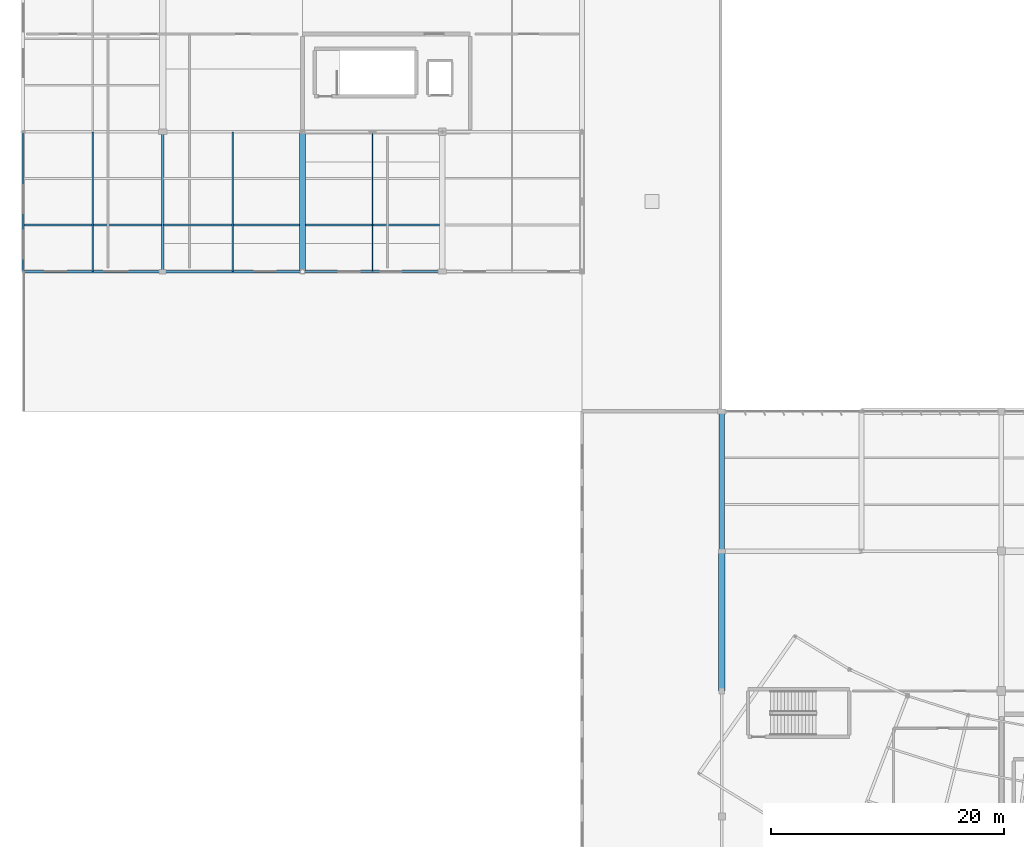
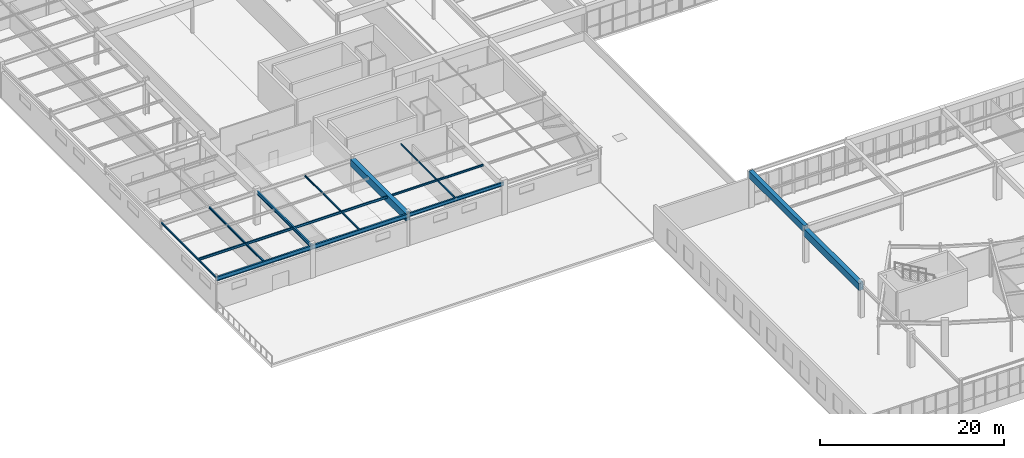
# One storey, part 56 of 186: 11 beams, 3 members.
"""IFC4 building model written with IfcOpenShell, lengths in metres."""

from ifc_helpers import new_model, si_unit, direction, frame, origin, origin_2d, place, context, subcontext, project, spatial, rectangle, hollow_rectangle, i_section, extrude, material, material_profile, profile_set, type_object, element, save


model = new_model("IFC4")

# Units and contexts
model_context = context("Model", 3, precision=1e-05, world=origin(), true_north=direction((0.0, 1.0)))
body_context = subcontext(model_context, "Body", "Model", "MODEL_VIEW")
ifc_project = project(units=[si_unit("LENGTHUNIT", "METRE"), si_unit("AREAUNIT", "SQUARE_METRE"), si_unit("VOLUMEUNIT", "CUBIC_METRE"), si_unit("PLANEANGLEUNIT", "RADIAN"), si_unit("MASSUNIT", "GRAM", prefix="KILO")], contexts=[model_context])

# Site, building, storey
site_placement = place(None, origin())
site = spatial("IfcSite", under=ifc_project, at=site_placement, CompositionType="ELEMENT")
building_placement = place(site_placement, origin())
building = spatial("IfcBuilding", under=site, at=building_placement, Name="Tarnwether General Hospital", CompositionType="ELEMENT")
storey_placement = place(building_placement, frame((0.0, 0.0, 9.60009765625)))
storey = spatial("IfcBuildingStorey", under=building, at=storey_placement, Name="L02", CompositionType="ELEMENT", Elevation=9.60009765625)

# Beams
ifc_material_1 = material(Name="Steel Grade 350 (350 MPa)", Category="steel")
ifc_material_profile_1 = material_profile(ifc_material_1, i_section(OverallWidth=0.208984375, OverallDepth=0.532958984375, WebThickness=0.01025390625, FlangeThickness=0.015625, at=origin_2d()), Name="530UB92.4")
ifc_profile_set_1 = profile_set([ifc_material_profile_1], Name="Steel Grade 350 (350 MPa)")
beam_type_1 = type_object("IfcBeamType", Name="BM-G06", PredefinedType="BEAM", material=ifc_profile_set_1)
beam_1_placement = place(storey_placement, frame((0.0, 57.60009765625, 4.163330078125), z_axis=(1.0, 0.0, 0.0), x_axis=(0.0, 1.0, 0.0)))
element("IfcBeam", 1, at=beam_1_placement, inside=storey, type_object=beam_type_1, Name="Primary Girder BMG-L02-0_5760-1200_5760-1441", PredefinedType="BEAM", context=body_context, shape_type="SweptSolid", body=[
    extrude(i_section(OverallWidth=0.208984375, OverallDepth=0.532958984375, WebThickness=0.01025390625, FlangeThickness=0.015625, at=origin_2d()), origin(), (0.0, 0.0, 1.0), 12.0),
])
ifc_material_2 = material(Name="Steel Grade 350 (350 MPa)", Category="steel")
ifc_material_profile_2 = material_profile(ifc_material_2, i_section(OverallWidth=0.208984375, OverallDepth=0.528076171875, WebThickness=0.009521484375, FlangeThickness=0.01318359375, at=origin_2d()), Name="530UB82.0")
ifc_profile_set_2 = profile_set([ifc_material_profile_2], Name="Steel Grade 350 (350 MPa)")
beam_type_2 = type_object("IfcBeamType", Name="BM-G07", PredefinedType="BEAM", material=ifc_profile_set_2)
beam_2_placement = place(storey_placement, frame((12.0, 57.60009765625, 4.166015625), z_axis=(1.0, 0.0, 0.0), x_axis=(0.0, 1.0, 0.0)))
element("IfcBeam", 2, at=beam_2_placement, inside=storey, type_object=beam_type_2, Name="Primary Girder BMG-L02-1200_5760-2400_5760-1452", PredefinedType="BEAM", context=body_context, shape_type="SweptSolid", body=[
    extrude(i_section(OverallWidth=0.208984375, OverallDepth=0.528076171875, WebThickness=0.009521484375, FlangeThickness=0.01318359375, at=origin_2d()), origin(), (0.0, 0.0, 1.0), 12.0),
])
ifc_material_3 = material(Name="Steel Grade 350 (350 MPa)", Category="steel")
ifc_material_profile_3 = material_profile(ifc_material_3, i_section(OverallWidth=0.19091796875, OverallDepth=0.4599609375, WebThickness=0.010009765625, FlangeThickness=0.01611328125, at=origin_2d()), Name="460UB82.1")
ifc_profile_set_3 = profile_set([ifc_material_profile_3], Name="Steel Grade 350 (350 MPa)")
beam_type_3 = type_object("IfcBeamType", Name="BM-G08", PredefinedType="BEAM", material=ifc_profile_set_3)
beam_3_placement = place(storey_placement, frame((24.0, 57.60009765625, 4.199951171875), z_axis=(1.0, 0.0, 0.0), x_axis=(0.0, 1.0, 0.0)))
element("IfcBeam", 3, at=beam_3_placement, inside=storey, type_object=beam_type_3, Name="Primary Girder BMG-L02-2400_5760-3600_5760-1461", PredefinedType="BEAM", context=body_context, shape_type="SweptSolid", body=[
    extrude(i_section(OverallWidth=0.19091796875, OverallDepth=0.4599609375, WebThickness=0.010009765625, FlangeThickness=0.01611328125, at=origin_2d()), origin(), (0.0, 0.0, 1.0), 12.0),
])
ifc_material_4 = material(Name="Steel Grade 350 (350 MPa)", Category="steel")
ifc_material_profile_4 = material_profile(ifc_material_4, i_section(OverallWidth=0.18994140625, OverallDepth=0.4541015625, WebThickness=0.008544921875, FlangeThickness=0.0126953125, at=origin_2d()), Name="460UB67.1")
ifc_profile_set_4 = profile_set([ifc_material_profile_4], Name="Steel Grade 350 (350 MPa)")
beam_type_4 = type_object("IfcBeamType", Name="BM-G10", PredefinedType="BEAM", material=ifc_profile_set_4)
beam_4_placement = place(storey_placement, frame((12.0, 57.60009765625, 4.202880859375), z_axis=(0.0, 1.0, 0.0), x_axis=(-1.0, 0.0, 0.0)))
element("IfcBeam", 4, at=beam_4_placement, inside=storey, type_object=beam_type_4, Name="Primary Girder BMG-L02-1200_5760-1200_6960-1453", PredefinedType="BEAM", context=body_context, shape_type="SweptSolid", body=[
    extrude(i_section(OverallWidth=0.18994140625, OverallDepth=0.4541015625, WebThickness=0.008544921875, FlangeThickness=0.0126953125, at=origin_2d()), origin(), (0.0, 0.0, 1.0), 12.0),
])
ifc_material_5 = material(Name="Concrete 40 MPa", Category="concrete")
ifc_material_profile_5 = material_profile(ifc_material_5, rectangle(XDim=0.550048828125, YDim=0.949951171875, at=origin_2d()), Name="RC-BM-550x950")
ifc_profile_set_5 = profile_set([ifc_material_profile_5], Name="Concrete 40 MPa")
beam_type_5 = type_object("IfcBeamType", Name="BM-G11", PredefinedType="BEAM", material=ifc_profile_set_5)
for number, where, z_axis, x_axis, name in (
    (5, (24.0, 57.60009765625, 3.954833984375), (0.0, 1.0, 0.0), (-1.0, 0.0, 0.0), "Primary Girder BMG-L02-2400_5760-2400_6960-1462"),
    (6, (60.0, 21.60009765625, 3.954833984375), (0.0, 1.0, 0.0), (-1.0, 0.0, 0.0), "Primary Girder BMG-L02-6000_2160-6000_3360-1488"),
):
    element("IfcBeam", number, at=place(storey_placement, frame(where, z_axis=z_axis, x_axis=x_axis)), inside=storey, type_object=beam_type_5, Name=name, PredefinedType="BEAM", context=body_context, shape_type="SweptSolid", body=[
        extrude(rectangle(XDim=0.550048828125, YDim=0.949951171875, at=origin_2d()), origin(), (0.0, 0.0, 1.0), 12.0),
    ])
ifc_material_6 = material(Name="Concrete 40 MPa", Category="concrete")
ifc_material_profile_6 = material_profile(ifc_material_6, rectangle(XDim=0.5, YDim=0.89990234375, at=origin_2d()), Name="RC-BM-500x900")
ifc_profile_set_6 = profile_set([ifc_material_profile_6], Name="Concrete 40 MPa")
beam_type_6 = type_object("IfcBeamType", Name="BM-G12", PredefinedType="BEAM", material=ifc_profile_set_6)
beam_5_placement = place(storey_placement, frame((60.0, 33.60009765625, 4.349853515625), z_axis=(0.0, 1.0, 0.0), x_axis=(-1.0, 0.0, 0.0)))
element("IfcBeam", 7, at=beam_5_placement, inside=storey, type_object=beam_type_6, Name="Primary Girder BMG-L02-6000_3360-6000_4560-1489", PredefinedType="BEAM", context=body_context, shape_type="SweptSolid", body=[
    extrude(rectangle(XDim=0.5, YDim=0.89990234375, at=origin_2d()), origin(), (0.0, 0.0, 1.0), 12.0),
])
ifc_material_7 = material(Name="Steel Grade 350 (350 MPa)", Category="steel")
ifc_material_profile_7 = material_profile(ifc_material_7, i_section(OverallWidth=0.1650390625, OverallDepth=0.303955078125, WebThickness=0.006103515625, FlangeThickness=0.01025390625, at=origin_2d()), Name="310UB40.4")
ifc_profile_set_7 = profile_set([ifc_material_profile_7], Name="Steel Grade 350 (350 MPa)")
beam_type_7 = type_object("IfcBeamType", Name="BM-J07", PredefinedType="JOIST", material=ifc_profile_set_7)
beam_6_placement = place(storey_placement, frame((0.080078125, 61.60009765625, 4.27783203125), z_axis=(1.0, 0.0, 0.0), x_axis=(0.0, 1.0, 0.0)))
element("IfcBeam", 8, at=beam_6_placement, inside=storey, type_object=beam_type_7, Name="Composite Floor Joist BMG-L02-8_6160-1191_6160-1648", PredefinedType="JOIST", context=body_context, shape_type="SweptSolid", body=[
    extrude(i_section(OverallWidth=0.1650390625, OverallDepth=0.303955078125, WebThickness=0.006103515625, FlangeThickness=0.01025390625, at=origin_2d()), origin(), (0.0, 0.0, 1.0), 11.830810546875),
])
ifc_material_8 = material(Name="Steel Grade 350 (350 MPa)", Category="steel")
ifc_material_profile_8 = material_profile(ifc_material_8, i_section(OverallWidth=0.14892578125, OverallDepth=0.298095703125, WebThickness=0.005615234375, FlangeThickness=0.008056640625, at=origin_2d()), Name="310UB32.0")
ifc_profile_set_8 = profile_set([ifc_material_profile_8], Name="Steel Grade 350 (350 MPa)")
beam_type_8 = type_object("IfcBeamType", Name="BM-J08", PredefinedType="JOIST", material=ifc_profile_set_8)
beam_7_placement = place(storey_placement, frame((12.089111328125, 61.60009765625, 4.281005859375), z_axis=(1.0, 0.0, 0.0), x_axis=(0.0, 1.0, 0.0)))
element("IfcBeam", 9, at=beam_7_placement, inside=storey, type_object=beam_type_8, Name="Composite Floor Joist BMG-L02-1209_6160-2373_6160-1658", PredefinedType="JOIST", context=body_context, shape_type="SweptSolid", body=[
    extrude(i_section(OverallWidth=0.14892578125, OverallDepth=0.298095703125, WebThickness=0.005615234375, FlangeThickness=0.008056640625, at=origin_2d()), origin(), (0.0, 0.0, 1.0), 11.641845703125),
])
ifc_material_9 = material(Name="Steel Grade 350 (350 MPa)", Category="steel")
ifc_material_profile_9 = material_profile(ifc_material_9, i_section(OverallWidth=0.14599609375, OverallDepth=0.256103515625, WebThickness=0.00634765625, FlangeThickness=0.010986328125, at=origin_2d()), Name="250UB37.3")
ifc_profile_set_9 = profile_set([ifc_material_profile_9], Name="Steel Grade 350 (350 MPa)")
beam_type_9 = type_object("IfcBeamType", Name="BM-J09", PredefinedType="JOIST", material=ifc_profile_set_9)
beam_8_placement = place(storey_placement, frame((24.26904296875, 61.60009765625, 4.302001953125), z_axis=(1.0, 0.0, 0.0), x_axis=(0.0, 1.0, 0.0)))
element("IfcBeam", 10, at=beam_8_placement, inside=storey, type_object=beam_type_9, Name="Composite Floor Joist BMG-L02-2427_6160-3576_6160-1662", PredefinedType="JOIST", context=body_context, shape_type="SweptSolid", body=[
    extrude(i_section(OverallWidth=0.14599609375, OverallDepth=0.256103515625, WebThickness=0.00634765625, FlangeThickness=0.010986328125, at=origin_2d()), origin(), (0.0, 0.0, 1.0), 11.487060546875),
])
ifc_material_10 = material(Name="Steel Grade 350 (350 MPa)", Category="steel")
ifc_material_profile_10 = material_profile(ifc_material_10, i_section(OverallWidth=0.133056640625, OverallDepth=0.201904296875, WebThickness=0.0048828125, FlangeThickness=0.007080078125, at=origin_2d()), Name="200UB22.3")
ifc_profile_set_10 = profile_set([ifc_material_profile_10], Name="Steel Grade 350 (350 MPa)")
beam_type_10 = type_object("IfcBeamType", Name="BM-SP6", PredefinedType="SPANDREL", material=ifc_profile_set_10)
beam_9_placement = place(storey_placement, frame((0.0, 57.60009765625, 4.328857421875), z_axis=(0.0, 1.0, 0.0), x_axis=(-1.0, 0.0, 0.0)))
element("IfcBeam", 11, at=beam_9_placement, inside=storey, type_object=beam_type_10, Name="Primary Girder BMG-L02-0_5760-0_6960-1442", PredefinedType="SPANDREL", context=body_context, shape_type="SweptSolid", body=[
    extrude(i_section(OverallWidth=0.133056640625, OverallDepth=0.201904296875, WebThickness=0.0048828125, FlangeThickness=0.007080078125, at=origin_2d()), origin(), (0.0, 0.0, 1.0), 12.0),
])

# Members
ifc_material_11 = material(Name="Steel Grade 350 (350 MPa)", Category="steel")
ifc_material_profile_11 = material_profile(ifc_material_11, i_section(OverallWidth=0.14599609375, OverallDepth=0.256103515625, WebThickness=0.00634765625, FlangeThickness=0.010986328125, at=origin_2d()), Name="250UB37.3")
ifc_profile_set_11 = profile_set([ifc_material_profile_11], Name="Steel Grade 350 (350 MPa)")
member_type_1 = type_object("IfcMemberType", Name="MB-PR1", PredefinedType="PURLIN", material=ifc_profile_set_11)
member_1_placement = place(storey_placement, frame((6.0, 57.60009765625, 4.27978515625), z_axis=(0.0, 1.0, 0.0), x_axis=(-1.0, 0.0, 0.0)))
element("IfcMember", 12, at=member_1_placement, inside=storey, type_object=member_type_1, Name="Operating Suite Ceiling Purlin 017", PredefinedType="PURLIN", context=body_context, shape_type="SweptSolid", body=[
    extrude(i_section(OverallWidth=0.14599609375, OverallDepth=0.256103515625, WebThickness=0.00634765625, FlangeThickness=0.010986328125, at=origin_2d()), origin(), (0.0, 0.0, 1.0), 12.0),
])
ifc_material_12 = material(Name="Steel Grade 350 (350 MPa)", Category="steel")
ifc_material_profile_12 = material_profile(ifc_material_12, i_section(OverallWidth=0.134033203125, OverallDepth=0.20703125, WebThickness=0.00634765625, FlangeThickness=0.009521484375, at=origin_2d()), Name="200UB29.8")
ifc_profile_set_12 = profile_set([ifc_material_profile_12], Name="Steel Grade 350 (350 MPa)")
member_type_2 = type_object("IfcMemberType", Name="MB-PR2", PredefinedType="PURLIN", material=ifc_profile_set_12)
member_2_placement = place(storey_placement, frame((18.0, 57.60009765625, 4.27978515625), z_axis=(0.0, 1.0, 0.0), x_axis=(-1.0, 0.0, 0.0)))
element("IfcMember", 13, at=member_2_placement, inside=storey, type_object=member_type_2, Name="Operating Suite Ceiling Purlin 021", PredefinedType="PURLIN", context=body_context, shape_type="SweptSolid", body=[
    extrude(i_section(OverallWidth=0.134033203125, OverallDepth=0.20703125, WebThickness=0.00634765625, FlangeThickness=0.009521484375, at=origin_2d()), origin(), (0.0, 0.0, 1.0), 12.0),
])
ifc_material_13 = material(Name="Steel Grade C350L0 (350 MPa)", Category="steel")
ifc_material_profile_13 = material_profile(ifc_material_13, hollow_rectangle(XDim=0.10009765625, YDim=0.199951171875, WallThickness=0.008056640625, at=origin_2d()), Name="RHS200x100x8")
ifc_profile_set_13 = profile_set([ifc_material_profile_13], Name="Steel Grade C350L0 (350 MPa)")
member_type_3 = type_object("IfcMemberType", Name="MB-PR3", PredefinedType="PURLIN", material=ifc_profile_set_13)
member_3_placement = place(storey_placement, frame((30.0, 57.60009765625, 4.27978515625), z_axis=(0.0, 1.0, 0.0), x_axis=(-1.0, 0.0, 0.0)))
element("IfcMember", 14, at=member_3_placement, inside=storey, type_object=member_type_3, Name="Operating Suite Ceiling Purlin 022", PredefinedType="PURLIN", context=body_context, shape_type="SweptSolid", body=[
    extrude(hollow_rectangle(XDim=0.10009765625, YDim=0.199951171875, WallThickness=0.008056640625, at=origin_2d()), origin(), (0.0, 0.0, 1.0), 12.0),
])

save(model, "model.ifc")
